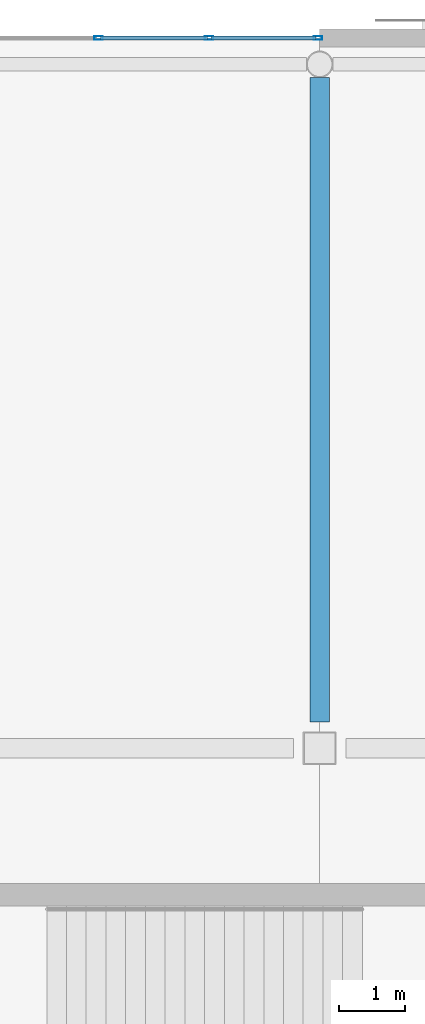
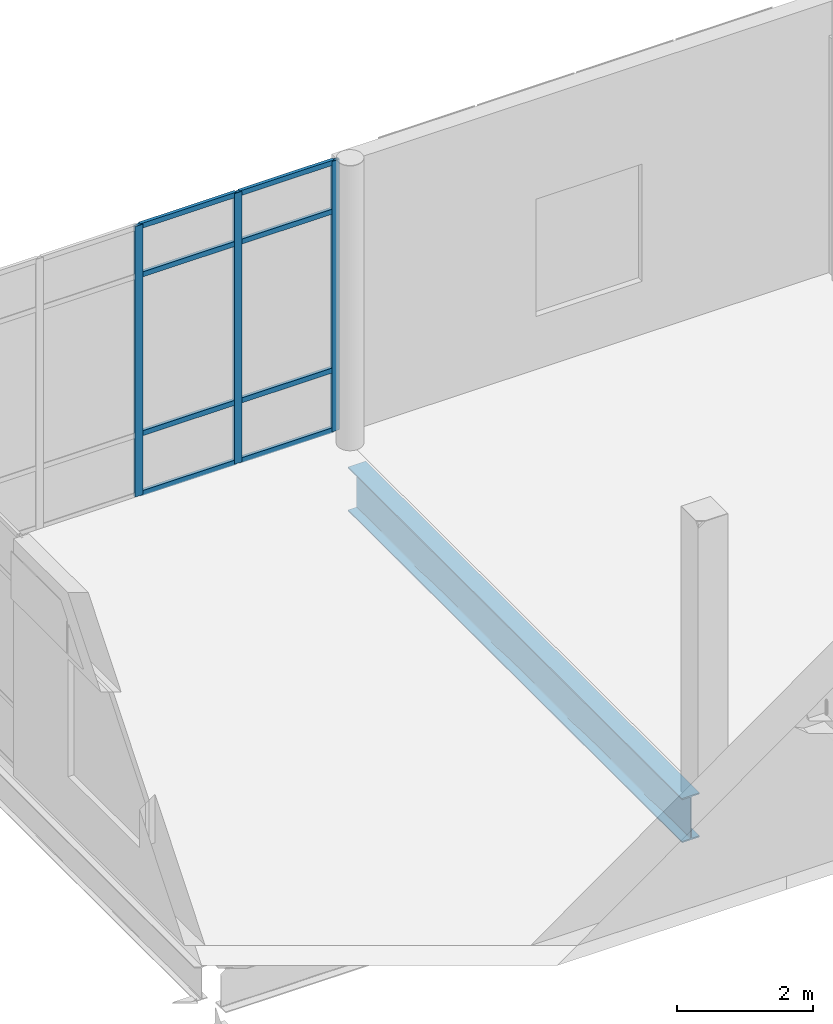
# One storey, part 34 of 104: 11 members, 1 beam, 1 element without a shape of its own.
"""IFC4 building model written with IfcOpenShell, lengths in metres."""

from ifc_helpers import new_model, si_unit, direction, frame, origin, origin_2d, place, context, subcontext, project, spatial, hollow_rectangle, i_section, extrude, material, layer, layer_set, material_profile, profile_set, type_object, element, aggregate, save


model = new_model("IFC4")

# Units and contexts
model_context = context("Model", 3, precision=1e-05, world=origin(), true_north=direction((0.0, 1.0)))
body_context = subcontext(model_context, "Body", "Model", "MODEL_VIEW")
ifc_project = project(units=[si_unit("LENGTHUNIT", "METRE"), si_unit("AREAUNIT", "SQUARE_METRE"), si_unit("VOLUMEUNIT", "CUBIC_METRE"), si_unit("PLANEANGLEUNIT", "RADIAN"), si_unit("MASSUNIT", "GRAM", prefix="KILO"), si_unit("THERMODYNAMICTEMPERATUREUNIT", "KELVIN")], contexts=[model_context])

# Site, building, storey
site_placement = place(None, origin())
site = spatial("IfcSite", under=ifc_project, at=site_placement, CompositionType="ELEMENT")
building_placement = place(site_placement, origin())
building = spatial("IfcBuilding", under=site, at=building_placement, Name="Lustrewick Department Store", CompositionType="ELEMENT")
storey_placement = place(building_placement, frame((0.0, 0.0, 11.39990234375)))
storey = spatial("IfcBuildingStorey", under=building, at=storey_placement, Name="L03", CompositionType="ELEMENT", Elevation=11.39990234375)

# Curtain wall, members
ifc_material_1 = material(Name="Thermally broken aluminium 6063-T5", Category="aluminium")
ifc_layer = layer(ifc_material_1, 0.1298828125, Name="Thermally broken aluminium 6063-T5")
ifc_layer_set = layer_set([ifc_layer], Name="Thermally broken aluminium 6063-T5")
curtain_wall_type = type_object("IfcCurtainWallType", Name="CW07", PredefinedType="NOTDEFINED", material=ifc_layer_set)
curtain_wall_placement = place(storey_placement, origin())
curtain_wall = element("IfcCurtainWall", 1, at=curtain_wall_placement, inside=storey, type_object=curtain_wall_type, Name="L03 V2 Curtain Wall CW07", PredefinedType="NOTDEFINED")
ifc_material_profile_1 = material_profile(ifc_material_1, hollow_rectangle(XDim=0.054931640625, YDim=0.1298828125, WallThickness=0.00341796875, at=origin_2d()), Name="ALU-M 55x130x3.5")
ifc_profile_set_1 = profile_set([ifc_material_profile_1], Name="Thermally broken aluminium 6063-T5")
member_type_1 = type_object("IfcMemberType", Name="CW07-M1", PredefinedType="MULLION", material=ifc_profile_set_1)
member_1_placement = place(storey_placement, frame((83.972412109375, 111.60009765625, 0.0), z_axis=(0.0, 0.0, 1.0), x_axis=(0.0, -1.0, 0.0)))
member_1 = element("IfcMember", 2, at=member_1_placement, type_object=member_type_1, Name="CW07 mullion 1", PredefinedType="MULLION", context=body_context, shape_type="SweptSolid", body=[
    extrude(hollow_rectangle(XDim=0.054931640625, YDim=0.1298828125, WallThickness=0.00341796875, at=origin_2d()), origin(), (0.0, 0.0, 1.0), 4.84521484375),
])
member_2_placement = place(storey_placement, frame((82.320068359375, 111.60009765625, 0.0), z_axis=(0.0, 0.0, 1.0), x_axis=(0.0, -1.0, 0.0)))
member_2 = element("IfcMember", 3, at=member_2_placement, type_object=member_type_1, Name="CW07 mullion 2", PredefinedType="MULLION", context=body_context, shape_type="SweptSolid", body=[
    extrude(hollow_rectangle(XDim=0.054931640625, YDim=0.1298828125, WallThickness=0.00341796875, at=origin_2d()), origin(), (0.0, 0.0, 1.0), 4.84521484375),
])
member_3_placement = place(storey_placement, frame((80.639892578125, 111.60009765625, 0.0), z_axis=(0.0, 0.0, 1.0), x_axis=(0.0, -1.0, 0.0)))
member_3 = element("IfcMember", 4, at=member_3_placement, type_object=member_type_1, Name="CW07 mullion 3", PredefinedType="MULLION", context=body_context, shape_type="SweptSolid", body=[
    extrude(hollow_rectangle(XDim=0.054931640625, YDim=0.1298828125, WallThickness=0.00341796875, at=origin_2d()), origin(), (0.0, 0.0, 1.0), 4.84521484375),
])
ifc_material_profile_2 = material_profile(ifc_material_1, hollow_rectangle(XDim=0.054931640625, YDim=0.090087890625, WallThickness=0.0029296875, at=origin_2d()), Name="ALU-T 55x90x3")
ifc_profile_set_2 = profile_set([ifc_material_profile_2], Name="Thermally broken aluminium 6063-T5")
member_type_2 = type_object("IfcMemberType", Name="CW07-T1", PredefinedType="USERDEFINED", material=ifc_profile_set_2)
member_4_placement = place(storey_placement, frame((83.945068359375, 111.60009765625, 0.027587890625), z_axis=(-1.0, 0.0, 0.0), x_axis=(0.0, -1.0, 0.0)))
member_4 = element("IfcMember", 5, at=member_4_placement, type_object=member_type_2, Name="CW07 transom 1.1", ObjectType="TRANSOM", PredefinedType="USERDEFINED", context=body_context, shape_type="SweptSolid", body=[
    extrude(hollow_rectangle(XDim=0.054931640625, YDim=0.090087890625, WallThickness=0.0029296875, at=origin_2d()), origin(), (0.0, 0.0, 1.0), 1.59765625),
])
member_5_placement = place(storey_placement, frame((83.945068359375, 111.60009765625, 1.10009765625), z_axis=(-1.0, 0.0, 0.0), x_axis=(0.0, -1.0, 0.0)))
member_5 = element("IfcMember", 6, at=member_5_placement, type_object=member_type_2, Name="CW07 transom 1.2", ObjectType="TRANSOM", PredefinedType="USERDEFINED", context=body_context, shape_type="SweptSolid", body=[
    extrude(hollow_rectangle(XDim=0.054931640625, YDim=0.090087890625, WallThickness=0.0029296875, at=origin_2d()), origin(), (0.0, 0.0, 1.0), 1.59765625),
])
member_6_placement = place(storey_placement, frame((83.945068359375, 111.60009765625, 3.945068359375), z_axis=(-1.0, 0.0, 0.0), x_axis=(0.0, -1.0, 0.0)))
member_6 = element("IfcMember", 7, at=member_6_placement, type_object=member_type_2, Name="CW07 transom 1.3", ObjectType="TRANSOM", PredefinedType="USERDEFINED", context=body_context, shape_type="SweptSolid", body=[
    extrude(hollow_rectangle(XDim=0.054931640625, YDim=0.090087890625, WallThickness=0.0029296875, at=origin_2d()), origin(), (0.0, 0.0, 1.0), 1.59765625),
])
member_7_placement = place(storey_placement, frame((83.945068359375, 111.60009765625, 4.817626953125), z_axis=(-1.0, 0.0, 0.0), x_axis=(0.0, -1.0, 0.0)))
member_7 = element("IfcMember", 8, at=member_7_placement, type_object=member_type_2, Name="CW07 transom 1.4", ObjectType="TRANSOM", PredefinedType="USERDEFINED", context=body_context, shape_type="SweptSolid", body=[
    extrude(hollow_rectangle(XDim=0.054931640625, YDim=0.090087890625, WallThickness=0.0029296875, at=origin_2d()), origin(), (0.0, 0.0, 1.0), 1.59765625),
])
member_8_placement = place(storey_placement, frame((82.29248046875, 111.60009765625, 0.027587890625), z_axis=(-1.0, 0.0, 0.0), x_axis=(0.0, -1.0, 0.0)))
member_8 = element("IfcMember", 9, at=member_8_placement, type_object=member_type_2, Name="CW07 transom 2.1", ObjectType="TRANSOM", PredefinedType="USERDEFINED", context=body_context, shape_type="SweptSolid", body=[
    extrude(hollow_rectangle(XDim=0.054931640625, YDim=0.090087890625, WallThickness=0.0029296875, at=origin_2d()), origin(), (0.0, 0.0, 1.0), 1.625),
])
member_9_placement = place(storey_placement, frame((82.29248046875, 111.60009765625, 1.10009765625), z_axis=(-1.0, 0.0, 0.0), x_axis=(0.0, -1.0, 0.0)))
member_9 = element("IfcMember", 10, at=member_9_placement, type_object=member_type_2, Name="CW07 transom 2.2", ObjectType="TRANSOM", PredefinedType="USERDEFINED", context=body_context, shape_type="SweptSolid", body=[
    extrude(hollow_rectangle(XDim=0.054931640625, YDim=0.090087890625, WallThickness=0.0029296875, at=origin_2d()), origin(), (0.0, 0.0, 1.0), 1.625),
])
member_10_placement = place(storey_placement, frame((82.29248046875, 111.60009765625, 3.945068359375), z_axis=(-1.0, 0.0, 0.0), x_axis=(0.0, -1.0, 0.0)))
member_10 = element("IfcMember", 11, at=member_10_placement, type_object=member_type_2, Name="CW07 transom 2.3", ObjectType="TRANSOM", PredefinedType="USERDEFINED", context=body_context, shape_type="SweptSolid", body=[
    extrude(hollow_rectangle(XDim=0.054931640625, YDim=0.090087890625, WallThickness=0.0029296875, at=origin_2d()), origin(), (0.0, 0.0, 1.0), 1.625),
])
member_11_placement = place(storey_placement, frame((82.29248046875, 111.60009765625, 4.817626953125), z_axis=(-1.0, 0.0, 0.0), x_axis=(0.0, -1.0, 0.0)))
member_11 = element("IfcMember", 12, at=member_11_placement, type_object=member_type_2, Name="CW07 transom 2.4", ObjectType="TRANSOM", PredefinedType="USERDEFINED", context=body_context, shape_type="SweptSolid", body=[
    extrude(hollow_rectangle(XDim=0.054931640625, YDim=0.090087890625, WallThickness=0.0029296875, at=origin_2d()), origin(), (0.0, 0.0, 1.0), 1.625),
])
aggregate(curtain_wall, [member_1, member_2, member_3, member_4, member_5, member_6, member_7, member_8, member_9, member_10, member_11])

# Beam
ifc_material_2 = material(Name="Structural steel Q355B", Category="steel")
ifc_material_profile_3 = material_profile(ifc_material_2, i_section(OverallWidth=0.300048828125, OverallDepth=0.7919921875, WebThickness=0.013916015625, FlangeThickness=0.02197265625, FilletRadius=0.02197265625, at=origin_2d()), Name="HN 792x300x14x22")
ifc_profile_set_3 = profile_set([ifc_material_profile_3], Name="Structural steel Q355B")
beam_type = type_object("IfcBeamType", Name="G06", PredefinedType="BEAM", material=ifc_profile_set_3)
beam_placement = place(storey_placement, frame((84.0, 101.199951171875, -0.65087890625), z_axis=(0.0, 1.0, 0.0), x_axis=(-1.0, 0.0, 0.0)))
element("IfcBeam", 13, at=beam_placement, inside=storey, type_object=beam_type, Name="L03 V2 Girder G06", PredefinedType="BEAM", context=body_context, shape_type="SweptSolid", body=[
    extrude(i_section(OverallWidth=0.300048828125, OverallDepth=0.7919921875, WebThickness=0.013916015625, FlangeThickness=0.02197265625, FilletRadius=0.02197265625, at=origin_2d()), origin(), (0.0, 0.0, 1.0), 9.797119140625),
])

save(model, "model.ifc")
